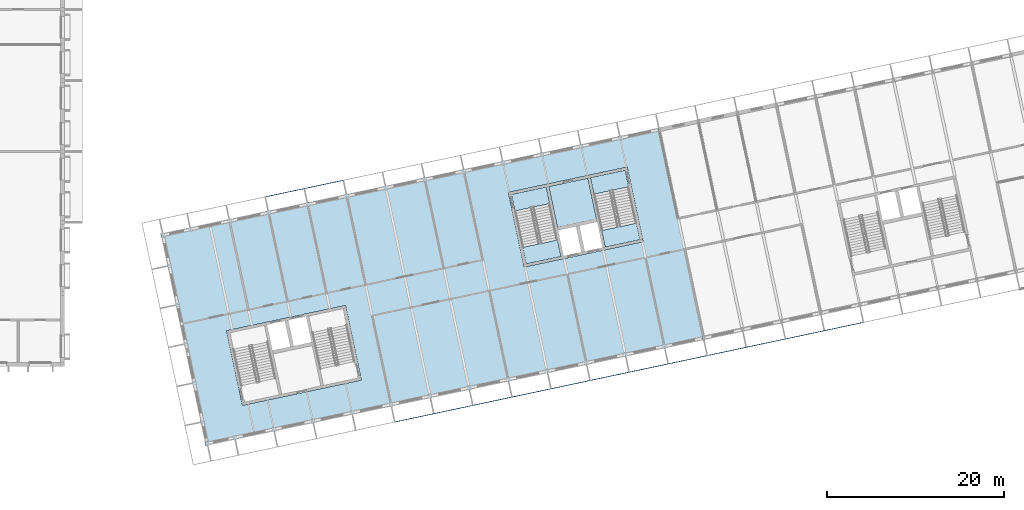
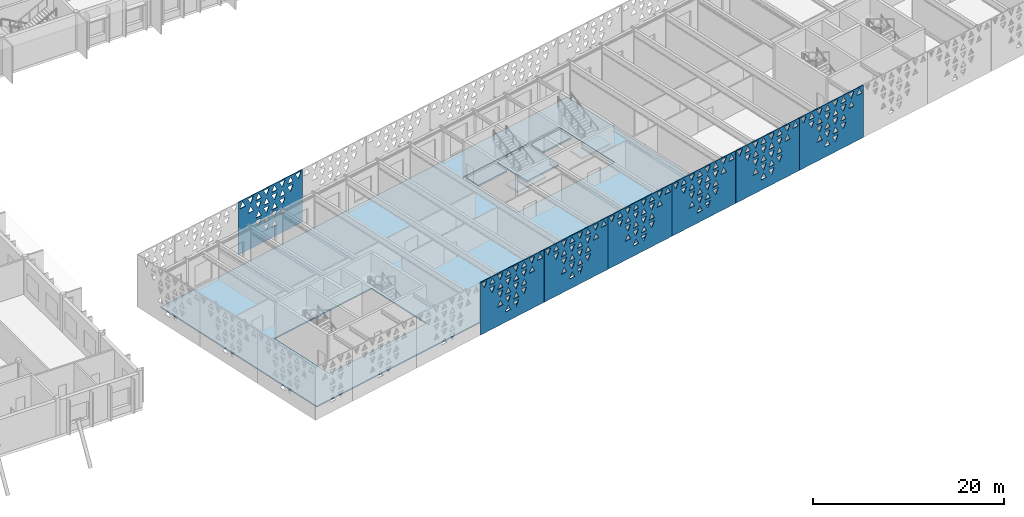
# One storey, part 97 of 182: 7 plates, 6 slabs, 2 elements without a shape of their own.
"""IFC4 building model written with IfcOpenShell, lengths in metres."""

from ifc_helpers import new_model, si_unit, direction, frame, origin, place, context, subcontext, project, spatial, polyline, outline, extrude, material, layer, layer_set, type_object, element, aggregate, save


model = new_model("IFC4")

# Units and contexts
model_context = context("Model", 3, precision=1e-05, world=origin(), true_north=direction((0.0, 1.0)))
body_context = subcontext(model_context, "Body", "Model", "MODEL_VIEW")
ifc_project = project(units=[si_unit("LENGTHUNIT", "METRE"), si_unit("AREAUNIT", "SQUARE_METRE"), si_unit("VOLUMEUNIT", "CUBIC_METRE"), si_unit("PLANEANGLEUNIT", "RADIAN"), si_unit("MASSUNIT", "GRAM", prefix="KILO")], contexts=[model_context])

# Site, building, storey
site_placement = place(None, origin())
site = spatial("IfcSite", under=ifc_project, at=site_placement, CompositionType="ELEMENT")
building_placement = place(site_placement, origin())
building = spatial("IfcBuilding", under=site, at=building_placement, Name="Okhra Congress Centre", CompositionType="ELEMENT")
storey_placement = place(building_placement, frame((0.0, 0.0, 7.199951171875)))
storey = spatial("IfcBuildingStorey", under=building, at=storey_placement, Name="L01", CompositionType="ELEMENT", Elevation=7.199951171875)

# Slabs
ifc_material_1 = material(Name="Concrete C30/37 on profiled steel deck", Category="concrete")
ifc_layer_1 = layer(ifc_material_1, 0.14990234375)
ifc_layer_set_1 = layer_set([ifc_layer_1], Name="Composite floor deck 150 REI 120 C30/37")
slab_type_1 = type_object("IfcSlabType", Name="Composite floor deck 150 REI 120 C30/37", PredefinedType="FLOOR", material=ifc_layer_set_1)
slab_1_placement = place(storey_placement, frame((0.0, 0.0, -0.14990234375)))
element("IfcSlab", 1, at=slab_1_placement, inside=storey, type_object=slab_type_1, Name="Floor slab L01 bay 1", PredefinedType="FLOOR", context=body_context, shape_type="SweptSolid", body=[
    extrude(outline(polyline([(62.1337890625, 26.81787109375), (118.23046875, 38.74169921875), (113.14697265625, 62.6572265625), (57.05029296875, 50.733642578125), (62.1337890625, 26.81787109375)]), holes=[polyline([(64.488037109375, 39.790771484375), (66.27587890625, 31.378662109375), (79.676513671875, 34.22705078125), (77.888671875, 42.63916015625), (64.488037109375, 39.790771484375)]), polyline([(109.640625, 58.2314453125), (96.239990234375, 55.383056640625), (98.028076171875, 46.97119140625), (111.4287109375, 49.819580078125), (109.640625, 58.2314453125)])]), origin(), (0.0, 0.0, 1.0), 0.14990234375),
])
ifc_material_2 = material(Name="Concrete C30/37", Category="concrete")
ifc_layer_2 = layer(ifc_material_2, 0.199951171875)
ifc_layer_set_2 = layer_set([ifc_layer_2], Name="RC floor slab 200 REI 120 C30/37")
slab_type_2 = type_object("IfcSlabType", Name="RC floor slab 200 REI 120 C30/37", PredefinedType="FLOOR", material=ifc_layer_set_2)
slab_2_placement = place(storey_placement, frame((0.0, 0.0, -0.199951171875)))
element("IfcSlab", 2, at=slab_2_placement, inside=storey, type_object=slab_type_2, Name="Stair floor landing 2A L01", PredefinedType="FLOOR", context=body_context, shape_type="SweptSolid", body=[
    extrude(outline(polyline([(96.58984375, 55.156005859375), (100.51220703125, 55.98974609375), (100.909423828125, 54.121337890625), (96.987060546875, 53.28759765625), (96.58984375, 55.156005859375)])), origin(), (0.0, 0.0, 1.0), 0.199951171875),
])
slab_3_placement = place(storey_placement, frame((0.0, 0.0, -0.199951171875)))
element("IfcSlab", 3, at=slab_3_placement, inside=storey, type_object=slab_type_2, Name="Stair floor landing 2B L01", PredefinedType="FLOOR", context=body_context, shape_type="SweptSolid", body=[
    extrude(outline(polyline([(105.490966796875, 57.0478515625), (109.413330078125, 57.881591796875), (109.810546875, 56.013427734375), (105.88818359375, 55.1796875), (105.490966796875, 57.0478515625)])), origin(), (0.0, 0.0, 1.0), 0.199951171875),
])
slab_4_placement = place(storey_placement, frame((0.0, 0.0, -0.199951171875)))
element("IfcSlab", 4, at=slab_4_placement, inside=storey, type_object=slab_type_2, Name="Riser room floor 2 L01", PredefinedType="FLOOR", context=body_context, shape_type="SweptSolid", body=[
    extrude(outline(polyline([(101.779052734375, 51.44873046875), (106.1806640625, 52.384521484375), (105.20361328125, 56.981689453125), (100.8017578125, 56.046142578125), (101.779052734375, 51.44873046875)])), origin(), (0.0, 0.0, 1.0), 0.199951171875),
])

# Stair, slab
stair_type = type_object("IfcStairType", Name="Escape stair 1900 wide, 30 risers of 160.0", PredefinedType="HALF_TURN_STAIR", material=ifc_material_2)
stair_1_placement = place(storey_placement, origin())
stair_1 = element("IfcStair", 5, at=stair_1_placement, inside=storey, type_object=stair_type, Name="L01 Escape stair 2A", PredefinedType="HALF_TURN_STAIR")
ifc_layer_3 = layer(ifc_material_2, 0.199951171875)
ifc_layer_set_3 = layer_set([ifc_layer_3], Name="RC stair landing 200 C30/37")
slab_type_3 = type_object("IfcSlabType", Name="RC stair landing 200 C30/37", PredefinedType="LANDING", material=ifc_layer_set_3)
slab_5_placement = place(storey_placement, frame((0.0, 0.0, 2.199951171875)))
slab_5 = element("IfcSlab", 6, at=slab_5_placement, type_object=slab_type_3, Name="BS2A landing 1", PredefinedType="LANDING", context=body_context, shape_type="SweptSolid", body=[
    extrude(outline(polyline([(97.858154296875, 49.189208984375), (101.780517578125, 50.02294921875), (102.177490234375, 48.15478515625), (98.255126953125, 47.321044921875), (97.858154296875, 49.189208984375)])), origin(), (0.0, 0.0, 1.0), 0.2001953125),
])
aggregate(stair_1, [slab_5])

stair_2_placement = place(storey_placement, origin())
stair_2 = element("IfcStair", 7, at=stair_2_placement, inside=storey, type_object=stair_type, Name="L01 Escape stair 2B", PredefinedType="HALF_TURN_STAIR")
slab_6_placement = place(storey_placement, frame((0.0, 0.0, 2.199951171875)))
slab_6 = element("IfcSlab", 8, at=slab_6_placement, type_object=slab_type_3, Name="BS2B landing 1", PredefinedType="LANDING", context=body_context, shape_type="SweptSolid", body=[
    extrude(outline(polyline([(106.75927734375, 51.081298828125), (110.681640625, 51.9150390625), (111.078857421875, 50.046630859375), (107.156494140625, 49.212890625), (106.75927734375, 51.081298828125)])), origin(), (0.0, 0.0, 1.0), 0.2001953125),
])
aggregate(stair_2, [slab_6])

# Plates
ifc_material_3 = material(Name="Fired clay terracotta rainscreen panel, deep oxide-red glaze, non-combustible", Category="masonry")
ifc_layer_4 = layer(ifc_material_3, 0.080078125)
ifc_layer_set_4 = layer_set([ifc_layer_4], Name="Terracotta screen panel 8980x6720")
plate_type = type_object("IfcPlateType", Name="Terracotta screen panel 8980x6720", PredefinedType="SHEET", material=ifc_layer_set_4)
plate_1_placement = place(storey_placement, frame((83.4501953125, 29.508544921875, 0.010009765625), z_axis=(0.0, 0.0, 1.0), x_axis=(0.978144061878, 0.207928339131, 0.0)))
element("IfcPlate", 9, at=plate_1_placement, inside=storey, type_object=plate_type, Name="Screen panel S4 Tier 1", PredefinedType="SHEET", context=body_context, shape_type="SweptSolid", body=[
    extrude(outline(polyline([(0.0, 0.0), (8.97998046875, 0.0), (8.97998046875, 6.719970703125), (0.0, 6.719970703125), (0.0, 0.0)]), holes=[polyline([(3.536376953125, 1.303955078125), (4.3037109375, 1.303955078125), (3.919921875, 2.05615234375), (3.536376953125, 1.303955078125)]), polyline([(4.656494140625, 2.05615234375), (5.0400390625, 1.303955078125), (5.423583984375, 2.05615234375), (4.656494140625, 2.05615234375)]), polyline([(2.41650390625, 2.423828125), (3.18359375, 2.423828125), (2.800048828125, 3.176025390625), (2.41650390625, 2.423828125)]), polyline([(3.536376953125, 3.176025390625), (3.919921875, 2.423828125), (4.3037109375, 3.176025390625), (3.536376953125, 3.176025390625)]), polyline([(4.656494140625, 2.423828125), (5.423583984375, 2.423828125), (5.0400390625, 3.176025390625), (4.656494140625, 2.423828125)]), polyline([(5.7763671875, 3.176025390625), (6.159912109375, 2.423828125), (6.543701171875, 3.176025390625), (5.7763671875, 3.176025390625)]), polyline([(2.41650390625, 4.296142578125), (2.800048828125, 3.5439453125), (3.18359375, 4.296142578125), (2.41650390625, 4.296142578125)]), polyline([(3.536376953125, 3.5439453125), (4.3037109375, 3.5439453125), (3.919921875, 4.296142578125), (3.536376953125, 3.5439453125)]), polyline([(4.656494140625, 4.296142578125), (5.0400390625, 3.5439453125), (5.423583984375, 4.296142578125), (4.656494140625, 4.296142578125)]), polyline([(5.7763671875, 3.5439453125), (6.543701171875, 3.5439453125), (6.159912109375, 4.296142578125), (5.7763671875, 3.5439453125)]), polyline([(1.29638671875, 5.416015625), (1.679931640625, 4.663818359375), (2.0634765625, 5.416015625), (1.29638671875, 5.416015625)]), polyline([(2.41650390625, 4.663818359375), (3.18359375, 4.663818359375), (2.800048828125, 5.416015625), (2.41650390625, 4.663818359375)]), polyline([(3.536376953125, 5.416015625), (3.919921875, 4.663818359375), (4.3037109375, 5.416015625), (3.536376953125, 5.416015625)]), polyline([(4.656494140625, 4.663818359375), (5.423583984375, 4.663818359375), (5.0400390625, 5.416015625), (4.656494140625, 4.663818359375)]), polyline([(5.7763671875, 5.416015625), (6.159912109375, 4.663818359375), (6.543701171875, 5.416015625), (5.7763671875, 5.416015625)]), polyline([(6.896484375, 4.663818359375), (7.66357421875, 4.663818359375), (7.280029296875, 5.416015625), (6.896484375, 4.663818359375)]), polyline([(0.176513671875, 6.5361328125), (0.56005859375, 5.783935546875), (0.943603515625, 6.5361328125), (0.176513671875, 6.5361328125)]), polyline([(1.29638671875, 5.783935546875), (2.0634765625, 5.783935546875), (1.679931640625, 6.5361328125), (1.29638671875, 5.783935546875)]), polyline([(2.41650390625, 6.5361328125), (2.800048828125, 5.783935546875), (3.18359375, 6.5361328125), (2.41650390625, 6.5361328125)]), polyline([(3.536376953125, 5.783935546875), (4.3037109375, 5.783935546875), (3.919921875, 6.5361328125), (3.536376953125, 5.783935546875)]), polyline([(4.656494140625, 6.5361328125), (5.0400390625, 5.783935546875), (5.423583984375, 6.5361328125), (4.656494140625, 6.5361328125)]), polyline([(5.7763671875, 5.783935546875), (6.543701171875, 5.783935546875), (6.159912109375, 6.5361328125), (5.7763671875, 5.783935546875)]), polyline([(6.896484375, 6.5361328125), (7.280029296875, 5.783935546875), (7.66357421875, 6.5361328125), (6.896484375, 6.5361328125)]), polyline([(8.016357421875, 5.783935546875), (8.78369140625, 5.783935546875), (8.39990234375, 6.5361328125), (8.016357421875, 5.783935546875)])]), frame((0.0, 0.0400390625, 0.0), z_axis=(0.0, -1.0, 0.0), x_axis=(1.0, 0.0, 0.0)), (0.0, 0.0, 1.0), 0.080078125),
])
plate_2_placement = place(storey_placement, frame((92.25341796875, 31.3798828125, 0.010009765625), z_axis=(0.0, 0.0, 1.0), x_axis=(0.978149591018, 0.207902327047, 0.0)))
element("IfcPlate", 10, at=plate_2_placement, inside=storey, type_object=plate_type, Name="Screen panel S5 Tier 1", PredefinedType="SHEET", context=body_context, shape_type="SweptSolid", body=[
    extrude(outline(polyline([(0.0, 0.0), (8.97998046875, 0.0), (8.97998046875, 6.719970703125), (0.0, 6.719970703125), (0.0, 0.0)]), holes=[polyline([(3.536376953125, 1.303955078125), (4.3037109375, 1.303955078125), (3.919921875, 2.05615234375), (3.536376953125, 1.303955078125)]), polyline([(4.656494140625, 2.05615234375), (5.0400390625, 1.303955078125), (5.423583984375, 2.05615234375), (4.656494140625, 2.05615234375)]), polyline([(2.41650390625, 2.423828125), (3.18359375, 2.423828125), (2.800048828125, 3.176025390625), (2.41650390625, 2.423828125)]), polyline([(3.536376953125, 3.176025390625), (3.919921875, 2.423828125), (4.3037109375, 3.176025390625), (3.536376953125, 3.176025390625)]), polyline([(4.656494140625, 2.423828125), (5.423583984375, 2.423828125), (5.0400390625, 3.176025390625), (4.656494140625, 2.423828125)]), polyline([(5.7763671875, 3.176025390625), (6.159912109375, 2.423828125), (6.543701171875, 3.176025390625), (5.7763671875, 3.176025390625)]), polyline([(2.41650390625, 4.296142578125), (2.800048828125, 3.5439453125), (3.18359375, 4.296142578125), (2.41650390625, 4.296142578125)]), polyline([(3.536376953125, 3.5439453125), (4.3037109375, 3.5439453125), (3.919921875, 4.296142578125), (3.536376953125, 3.5439453125)]), polyline([(4.656494140625, 4.296142578125), (5.0400390625, 3.5439453125), (5.423583984375, 4.296142578125), (4.656494140625, 4.296142578125)]), polyline([(5.7763671875, 3.5439453125), (6.543701171875, 3.5439453125), (6.159912109375, 4.296142578125), (5.7763671875, 3.5439453125)]), polyline([(1.29638671875, 5.416015625), (1.679931640625, 4.663818359375), (2.0634765625, 5.416015625), (1.29638671875, 5.416015625)]), polyline([(2.41650390625, 4.663818359375), (3.18359375, 4.663818359375), (2.800048828125, 5.416015625), (2.41650390625, 4.663818359375)]), polyline([(3.536376953125, 5.416015625), (3.919921875, 4.663818359375), (4.3037109375, 5.416015625), (3.536376953125, 5.416015625)]), polyline([(4.656494140625, 4.663818359375), (5.423583984375, 4.663818359375), (5.0400390625, 5.416015625), (4.656494140625, 4.663818359375)]), polyline([(5.7763671875, 5.416015625), (6.159912109375, 4.663818359375), (6.543701171875, 5.416015625), (5.7763671875, 5.416015625)]), polyline([(6.896484375, 4.663818359375), (7.66357421875, 4.663818359375), (7.280029296875, 5.416015625), (6.896484375, 4.663818359375)]), polyline([(0.176513671875, 6.5361328125), (0.56005859375, 5.783935546875), (0.943603515625, 6.5361328125), (0.176513671875, 6.5361328125)]), polyline([(1.29638671875, 5.783935546875), (2.0634765625, 5.783935546875), (1.679931640625, 6.5361328125), (1.29638671875, 5.783935546875)]), polyline([(2.41650390625, 6.5361328125), (2.800048828125, 5.783935546875), (3.18359375, 6.5361328125), (2.41650390625, 6.5361328125)]), polyline([(3.536376953125, 5.783935546875), (4.3037109375, 5.783935546875), (3.919921875, 6.5361328125), (3.536376953125, 5.783935546875)]), polyline([(4.656494140625, 6.5361328125), (5.0400390625, 5.783935546875), (5.423583984375, 6.5361328125), (4.656494140625, 6.5361328125)]), polyline([(5.7763671875, 5.783935546875), (6.543701171875, 5.783935546875), (6.159912109375, 6.5361328125), (5.7763671875, 5.783935546875)]), polyline([(6.896484375, 6.5361328125), (7.280029296875, 5.783935546875), (7.66357421875, 6.5361328125), (6.896484375, 6.5361328125)]), polyline([(8.016357421875, 5.783935546875), (8.78369140625, 5.783935546875), (8.39990234375, 6.5361328125), (8.016357421875, 5.783935546875)])]), frame((0.0, 0.0400390625, 0.0), z_axis=(0.0, -1.0, 0.0), x_axis=(1.0, 0.0, 0.0)), (0.0, 0.0, 1.0), 0.080078125),
])
plate_3_placement = place(storey_placement, frame((101.056884765625, 33.2509765625, 0.010009765625), z_axis=(0.0, 0.0, 1.0), x_axis=(0.978149591018, 0.207902327047, 0.0)))
element("IfcPlate", 11, at=plate_3_placement, inside=storey, type_object=plate_type, Name="Screen panel S6 Tier 1", PredefinedType="SHEET", context=body_context, shape_type="SweptSolid", body=[
    extrude(outline(polyline([(0.0, 0.0), (8.97998046875, 0.0), (8.97998046875, 6.719970703125), (0.0, 6.719970703125), (0.0, 0.0)]), holes=[polyline([(3.536376953125, 1.303955078125), (4.3037109375, 1.303955078125), (3.919921875, 2.05615234375), (3.536376953125, 1.303955078125)]), polyline([(4.656494140625, 2.05615234375), (5.0400390625, 1.303955078125), (5.423583984375, 2.05615234375), (4.656494140625, 2.05615234375)]), polyline([(2.41650390625, 2.423828125), (3.18359375, 2.423828125), (2.800048828125, 3.176025390625), (2.41650390625, 2.423828125)]), polyline([(3.536376953125, 3.176025390625), (3.919921875, 2.423828125), (4.3037109375, 3.176025390625), (3.536376953125, 3.176025390625)]), polyline([(4.656494140625, 2.423828125), (5.423583984375, 2.423828125), (5.0400390625, 3.176025390625), (4.656494140625, 2.423828125)]), polyline([(5.7763671875, 3.176025390625), (6.159912109375, 2.423828125), (6.543701171875, 3.176025390625), (5.7763671875, 3.176025390625)]), polyline([(2.41650390625, 4.296142578125), (2.800048828125, 3.5439453125), (3.18359375, 4.296142578125), (2.41650390625, 4.296142578125)]), polyline([(3.536376953125, 3.5439453125), (4.3037109375, 3.5439453125), (3.919921875, 4.296142578125), (3.536376953125, 3.5439453125)]), polyline([(4.656494140625, 4.296142578125), (5.0400390625, 3.5439453125), (5.423583984375, 4.296142578125), (4.656494140625, 4.296142578125)]), polyline([(5.7763671875, 3.5439453125), (6.543701171875, 3.5439453125), (6.159912109375, 4.296142578125), (5.7763671875, 3.5439453125)]), polyline([(1.29638671875, 5.416015625), (1.679931640625, 4.663818359375), (2.0634765625, 5.416015625), (1.29638671875, 5.416015625)]), polyline([(2.41650390625, 4.663818359375), (3.18359375, 4.663818359375), (2.800048828125, 5.416015625), (2.41650390625, 4.663818359375)]), polyline([(3.536376953125, 5.416015625), (3.919921875, 4.663818359375), (4.3037109375, 5.416015625), (3.536376953125, 5.416015625)]), polyline([(4.656494140625, 4.663818359375), (5.423583984375, 4.663818359375), (5.0400390625, 5.416015625), (4.656494140625, 4.663818359375)]), polyline([(5.7763671875, 5.416015625), (6.159912109375, 4.663818359375), (6.543701171875, 5.416015625), (5.7763671875, 5.416015625)]), polyline([(6.896484375, 4.663818359375), (7.66357421875, 4.663818359375), (7.280029296875, 5.416015625), (6.896484375, 4.663818359375)]), polyline([(0.176513671875, 6.5361328125), (0.56005859375, 5.783935546875), (0.943603515625, 6.5361328125), (0.176513671875, 6.5361328125)]), polyline([(1.29638671875, 5.783935546875), (2.0634765625, 5.783935546875), (1.679931640625, 6.5361328125), (1.29638671875, 5.783935546875)]), polyline([(2.41650390625, 6.5361328125), (2.800048828125, 5.783935546875), (3.18359375, 6.5361328125), (2.41650390625, 6.5361328125)]), polyline([(3.536376953125, 5.783935546875), (4.3037109375, 5.783935546875), (3.919921875, 6.5361328125), (3.536376953125, 5.783935546875)]), polyline([(4.656494140625, 6.5361328125), (5.0400390625, 5.783935546875), (5.423583984375, 6.5361328125), (4.656494140625, 6.5361328125)]), polyline([(5.7763671875, 5.783935546875), (6.543701171875, 5.783935546875), (6.159912109375, 6.5361328125), (5.7763671875, 5.783935546875)]), polyline([(6.896484375, 6.5361328125), (7.280029296875, 5.783935546875), (7.66357421875, 6.5361328125), (6.896484375, 6.5361328125)]), polyline([(8.016357421875, 5.783935546875), (8.78369140625, 5.783935546875), (8.39990234375, 6.5361328125), (8.016357421875, 5.783935546875)])]), frame((0.0, 0.0400390625, 0.0), z_axis=(0.0, -1.0, 0.0), x_axis=(1.0, 0.0, 0.0)), (0.0, 0.0, 1.0), 0.080078125),
])
plate_4_placement = place(storey_placement, frame((109.860107421875, 35.122314453125, 0.010009765625), z_axis=(0.0, 0.0, 1.0), x_axis=(0.978149591018, 0.207902327047, 0.0)))
element("IfcPlate", 12, at=plate_4_placement, inside=storey, type_object=plate_type, Name="Screen panel S7 Tier 1", PredefinedType="SHEET", context=body_context, shape_type="SweptSolid", body=[
    extrude(outline(polyline([(0.0, 0.0), (8.97998046875, 0.0), (8.97998046875, 6.719970703125), (0.0, 6.719970703125), (0.0, 0.0)]), holes=[polyline([(3.536376953125, 1.303955078125), (4.3037109375, 1.303955078125), (3.919921875, 2.05615234375), (3.536376953125, 1.303955078125)]), polyline([(4.656494140625, 2.05615234375), (5.0400390625, 1.303955078125), (5.423583984375, 2.05615234375), (4.656494140625, 2.05615234375)]), polyline([(2.41650390625, 2.423828125), (3.18359375, 2.423828125), (2.800048828125, 3.176025390625), (2.41650390625, 2.423828125)]), polyline([(3.536376953125, 3.176025390625), (3.919921875, 2.423828125), (4.3037109375, 3.176025390625), (3.536376953125, 3.176025390625)]), polyline([(4.656494140625, 2.423828125), (5.423583984375, 2.423828125), (5.0400390625, 3.176025390625), (4.656494140625, 2.423828125)]), polyline([(5.7763671875, 3.176025390625), (6.159912109375, 2.423828125), (6.543701171875, 3.176025390625), (5.7763671875, 3.176025390625)]), polyline([(2.41650390625, 4.296142578125), (2.800048828125, 3.5439453125), (3.18359375, 4.296142578125), (2.41650390625, 4.296142578125)]), polyline([(3.536376953125, 3.5439453125), (4.3037109375, 3.5439453125), (3.919921875, 4.296142578125), (3.536376953125, 3.5439453125)]), polyline([(4.656494140625, 4.296142578125), (5.0400390625, 3.5439453125), (5.423583984375, 4.296142578125), (4.656494140625, 4.296142578125)]), polyline([(5.7763671875, 3.5439453125), (6.543701171875, 3.5439453125), (6.159912109375, 4.296142578125), (5.7763671875, 3.5439453125)]), polyline([(1.29638671875, 5.416015625), (1.679931640625, 4.663818359375), (2.0634765625, 5.416015625), (1.29638671875, 5.416015625)]), polyline([(2.41650390625, 4.663818359375), (3.18359375, 4.663818359375), (2.800048828125, 5.416015625), (2.41650390625, 4.663818359375)]), polyline([(3.536376953125, 5.416015625), (3.919921875, 4.663818359375), (4.3037109375, 5.416015625), (3.536376953125, 5.416015625)]), polyline([(4.656494140625, 4.663818359375), (5.423583984375, 4.663818359375), (5.0400390625, 5.416015625), (4.656494140625, 4.663818359375)]), polyline([(5.7763671875, 5.416015625), (6.159912109375, 4.663818359375), (6.543701171875, 5.416015625), (5.7763671875, 5.416015625)]), polyline([(6.896484375, 4.663818359375), (7.66357421875, 4.663818359375), (7.280029296875, 5.416015625), (6.896484375, 4.663818359375)]), polyline([(0.176513671875, 6.5361328125), (0.56005859375, 5.783935546875), (0.943603515625, 6.5361328125), (0.176513671875, 6.5361328125)]), polyline([(1.29638671875, 5.783935546875), (2.0634765625, 5.783935546875), (1.679931640625, 6.5361328125), (1.29638671875, 5.783935546875)]), polyline([(2.41650390625, 6.5361328125), (2.800048828125, 5.783935546875), (3.18359375, 6.5361328125), (2.41650390625, 6.5361328125)]), polyline([(3.536376953125, 5.783935546875), (4.3037109375, 5.783935546875), (3.919921875, 6.5361328125), (3.536376953125, 5.783935546875)]), polyline([(4.656494140625, 6.5361328125), (5.0400390625, 5.783935546875), (5.423583984375, 6.5361328125), (4.656494140625, 6.5361328125)]), polyline([(5.7763671875, 5.783935546875), (6.543701171875, 5.783935546875), (6.159912109375, 6.5361328125), (5.7763671875, 5.783935546875)]), polyline([(6.896484375, 6.5361328125), (7.280029296875, 5.783935546875), (7.66357421875, 6.5361328125), (6.896484375, 6.5361328125)]), polyline([(8.016357421875, 5.783935546875), (8.78369140625, 5.783935546875), (8.39990234375, 6.5361328125), (8.016357421875, 5.783935546875)])]), frame((0.0, 0.0400390625, 0.0), z_axis=(0.0, -1.0, 0.0), x_axis=(1.0, 0.0, 0.0)), (0.0, 0.0, 1.0), 0.080078125),
])
plate_5_placement = place(storey_placement, frame((118.663330078125, 36.993408203125, 0.010009765625), z_axis=(0.0, 0.0, 1.0), x_axis=(0.978150766104, 0.207896798366, 0.0)))
element("IfcPlate", 13, at=plate_5_placement, inside=storey, type_object=plate_type, Name="Screen panel S8 Tier 1", PredefinedType="SHEET", context=body_context, shape_type="SweptSolid", body=[
    extrude(outline(polyline([(0.0, 0.0), (8.980224609375, 0.0), (8.980224609375, 6.719970703125), (0.0, 6.719970703125), (0.0, 0.0)]), holes=[polyline([(3.536376953125, 1.303955078125), (4.3037109375, 1.303955078125), (3.919921875, 2.05615234375), (3.536376953125, 1.303955078125)]), polyline([(4.656494140625, 2.05615234375), (5.0400390625, 1.303955078125), (5.423583984375, 2.05615234375), (4.656494140625, 2.05615234375)]), polyline([(2.41650390625, 2.423828125), (3.18359375, 2.423828125), (2.800048828125, 3.176025390625), (2.41650390625, 2.423828125)]), polyline([(3.536376953125, 3.176025390625), (3.919921875, 2.423828125), (4.3037109375, 3.176025390625), (3.536376953125, 3.176025390625)]), polyline([(4.656494140625, 2.423828125), (5.423583984375, 2.423828125), (5.0400390625, 3.176025390625), (4.656494140625, 2.423828125)]), polyline([(5.7763671875, 3.176025390625), (6.159912109375, 2.423828125), (6.543701171875, 3.176025390625), (5.7763671875, 3.176025390625)]), polyline([(2.41650390625, 4.296142578125), (2.800048828125, 3.5439453125), (3.18359375, 4.296142578125), (2.41650390625, 4.296142578125)]), polyline([(3.536376953125, 3.5439453125), (4.3037109375, 3.5439453125), (3.919921875, 4.296142578125), (3.536376953125, 3.5439453125)]), polyline([(4.656494140625, 4.296142578125), (5.0400390625, 3.5439453125), (5.423583984375, 4.296142578125), (4.656494140625, 4.296142578125)]), polyline([(5.7763671875, 3.5439453125), (6.543701171875, 3.5439453125), (6.159912109375, 4.296142578125), (5.7763671875, 3.5439453125)]), polyline([(1.29638671875, 5.416015625), (1.679931640625, 4.663818359375), (2.0634765625, 5.416015625), (1.29638671875, 5.416015625)]), polyline([(2.41650390625, 4.663818359375), (3.18359375, 4.663818359375), (2.800048828125, 5.416015625), (2.41650390625, 4.663818359375)]), polyline([(3.536376953125, 5.416015625), (3.919921875, 4.663818359375), (4.3037109375, 5.416015625), (3.536376953125, 5.416015625)]), polyline([(4.656494140625, 4.663818359375), (5.423583984375, 4.663818359375), (5.0400390625, 5.416015625), (4.656494140625, 4.663818359375)]), polyline([(5.7763671875, 5.416015625), (6.159912109375, 4.663818359375), (6.543701171875, 5.416015625), (5.7763671875, 5.416015625)]), polyline([(6.896484375, 4.663818359375), (7.66357421875, 4.663818359375), (7.280029296875, 5.416015625), (6.896484375, 4.663818359375)]), polyline([(0.176513671875, 6.5361328125), (0.56005859375, 5.783935546875), (0.943603515625, 6.5361328125), (0.176513671875, 6.5361328125)]), polyline([(1.29638671875, 5.783935546875), (2.0634765625, 5.783935546875), (1.679931640625, 6.5361328125), (1.29638671875, 5.783935546875)]), polyline([(2.41650390625, 6.5361328125), (2.800048828125, 5.783935546875), (3.18359375, 6.5361328125), (2.41650390625, 6.5361328125)]), polyline([(3.536376953125, 5.783935546875), (4.3037109375, 5.783935546875), (3.919921875, 6.5361328125), (3.536376953125, 5.783935546875)]), polyline([(4.656494140625, 6.5361328125), (5.0400390625, 5.783935546875), (5.423583984375, 6.5361328125), (4.656494140625, 6.5361328125)]), polyline([(5.7763671875, 5.783935546875), (6.543701171875, 5.783935546875), (6.159912109375, 6.5361328125), (5.7763671875, 5.783935546875)]), polyline([(6.896484375, 6.5361328125), (7.280029296875, 5.783935546875), (7.66357421875, 6.5361328125), (6.896484375, 6.5361328125)]), polyline([(8.016357421875, 5.783935546875), (8.78369140625, 5.783935546875), (8.39990234375, 6.5361328125), (8.016357421875, 5.783935546875)])]), frame((0.0, 0.0400390625, 0.0), z_axis=(0.0, -1.0, 0.0), x_axis=(1.0, 0.0, 0.0)), (0.0, 0.0, 1.0), 0.080078125),
])
plate_6_placement = place(storey_placement, frame((127.466796875, 38.864501953125, 0.010009765625), z_axis=(0.0, 0.0, 1.0), x_axis=(0.978144061878, 0.207928339131, 0.0)))
element("IfcPlate", 14, at=plate_6_placement, inside=storey, type_object=plate_type, Name="Screen panel S9 Tier 1", PredefinedType="SHEET", context=body_context, shape_type="SweptSolid", body=[
    extrude(outline(polyline([(0.0, 0.0), (8.97998046875, 0.0), (8.97998046875, 6.719970703125), (0.0, 6.719970703125), (0.0, 0.0)]), holes=[polyline([(3.536376953125, 1.303955078125), (4.3037109375, 1.303955078125), (3.919921875, 2.05615234375), (3.536376953125, 1.303955078125)]), polyline([(4.656494140625, 2.05615234375), (5.0400390625, 1.303955078125), (5.423583984375, 2.05615234375), (4.656494140625, 2.05615234375)]), polyline([(2.41650390625, 2.423828125), (3.18359375, 2.423828125), (2.800048828125, 3.176025390625), (2.41650390625, 2.423828125)]), polyline([(3.536376953125, 3.176025390625), (3.919921875, 2.423828125), (4.3037109375, 3.176025390625), (3.536376953125, 3.176025390625)]), polyline([(4.656494140625, 2.423828125), (5.423583984375, 2.423828125), (5.0400390625, 3.176025390625), (4.656494140625, 2.423828125)]), polyline([(5.7763671875, 3.176025390625), (6.159912109375, 2.423828125), (6.543701171875, 3.176025390625), (5.7763671875, 3.176025390625)]), polyline([(2.41650390625, 4.296142578125), (2.800048828125, 3.5439453125), (3.18359375, 4.296142578125), (2.41650390625, 4.296142578125)]), polyline([(3.536376953125, 3.5439453125), (4.3037109375, 3.5439453125), (3.919921875, 4.296142578125), (3.536376953125, 3.5439453125)]), polyline([(4.656494140625, 4.296142578125), (5.0400390625, 3.5439453125), (5.423583984375, 4.296142578125), (4.656494140625, 4.296142578125)]), polyline([(5.7763671875, 3.5439453125), (6.543701171875, 3.5439453125), (6.159912109375, 4.296142578125), (5.7763671875, 3.5439453125)]), polyline([(1.29638671875, 5.416015625), (1.679931640625, 4.663818359375), (2.0634765625, 5.416015625), (1.29638671875, 5.416015625)]), polyline([(2.41650390625, 4.663818359375), (3.18359375, 4.663818359375), (2.800048828125, 5.416015625), (2.41650390625, 4.663818359375)]), polyline([(3.536376953125, 5.416015625), (3.919921875, 4.663818359375), (4.3037109375, 5.416015625), (3.536376953125, 5.416015625)]), polyline([(4.656494140625, 4.663818359375), (5.423583984375, 4.663818359375), (5.0400390625, 5.416015625), (4.656494140625, 4.663818359375)]), polyline([(5.7763671875, 5.416015625), (6.159912109375, 4.663818359375), (6.543701171875, 5.416015625), (5.7763671875, 5.416015625)]), polyline([(6.896484375, 4.663818359375), (7.66357421875, 4.663818359375), (7.280029296875, 5.416015625), (6.896484375, 4.663818359375)]), polyline([(0.176513671875, 6.5361328125), (0.56005859375, 5.783935546875), (0.943603515625, 6.5361328125), (0.176513671875, 6.5361328125)]), polyline([(1.29638671875, 5.783935546875), (2.0634765625, 5.783935546875), (1.679931640625, 6.5361328125), (1.29638671875, 5.783935546875)]), polyline([(2.41650390625, 6.5361328125), (2.800048828125, 5.783935546875), (3.18359375, 6.5361328125), (2.41650390625, 6.5361328125)]), polyline([(3.536376953125, 5.783935546875), (4.3037109375, 5.783935546875), (3.919921875, 6.5361328125), (3.536376953125, 5.783935546875)]), polyline([(4.656494140625, 6.5361328125), (5.0400390625, 5.783935546875), (5.423583984375, 6.5361328125), (4.656494140625, 6.5361328125)]), polyline([(5.7763671875, 5.783935546875), (6.543701171875, 5.783935546875), (6.159912109375, 6.5361328125), (5.7763671875, 5.783935546875)]), polyline([(6.896484375, 6.5361328125), (7.280029296875, 5.783935546875), (7.66357421875, 6.5361328125), (6.896484375, 6.5361328125)]), polyline([(8.016357421875, 5.783935546875), (8.78369140625, 5.783935546875), (8.39990234375, 6.5361328125), (8.016357421875, 5.783935546875)])]), frame((0.0, 0.0400390625, 0.0), z_axis=(0.0, -1.0, 0.0), x_axis=(1.0, 0.0, 0.0)), (0.0, 0.0, 1.0), 0.080078125),
])
plate_7_placement = place(storey_placement, frame((77.64013671875, 56.745849609375, 0.010009765625), z_axis=(0.0, 0.0, 1.0), x_axis=(-0.978149591018, -0.207902327047, 0.0)))
element("IfcPlate", 15, at=plate_7_placement, inside=storey, type_object=plate_type, Name="Screen panel N17 Tier 1", PredefinedType="SHEET", context=body_context, shape_type="SweptSolid", body=[
    extrude(outline(polyline([(0.0, 0.0), (8.97998046875, 0.0), (8.97998046875, 6.719970703125), (0.0, 6.719970703125), (0.0, 0.0)]), holes=[polyline([(3.536376953125, 1.303955078125), (4.3037109375, 1.303955078125), (3.919921875, 2.05615234375), (3.536376953125, 1.303955078125)]), polyline([(4.656494140625, 2.05615234375), (5.0400390625, 1.303955078125), (5.423583984375, 2.05615234375), (4.656494140625, 2.05615234375)]), polyline([(2.41650390625, 2.423828125), (3.18359375, 2.423828125), (2.800048828125, 3.176025390625), (2.41650390625, 2.423828125)]), polyline([(3.536376953125, 3.176025390625), (3.919921875, 2.423828125), (4.3037109375, 3.176025390625), (3.536376953125, 3.176025390625)]), polyline([(4.656494140625, 2.423828125), (5.423583984375, 2.423828125), (5.0400390625, 3.176025390625), (4.656494140625, 2.423828125)]), polyline([(5.7763671875, 3.176025390625), (6.159912109375, 2.423828125), (6.543701171875, 3.176025390625), (5.7763671875, 3.176025390625)]), polyline([(2.41650390625, 4.296142578125), (2.800048828125, 3.5439453125), (3.18359375, 4.296142578125), (2.41650390625, 4.296142578125)]), polyline([(3.536376953125, 3.5439453125), (4.3037109375, 3.5439453125), (3.919921875, 4.296142578125), (3.536376953125, 3.5439453125)]), polyline([(4.656494140625, 4.296142578125), (5.0400390625, 3.5439453125), (5.423583984375, 4.296142578125), (4.656494140625, 4.296142578125)]), polyline([(5.7763671875, 3.5439453125), (6.543701171875, 3.5439453125), (6.159912109375, 4.296142578125), (5.7763671875, 3.5439453125)]), polyline([(1.29638671875, 5.416015625), (1.679931640625, 4.663818359375), (2.0634765625, 5.416015625), (1.29638671875, 5.416015625)]), polyline([(2.41650390625, 4.663818359375), (3.18359375, 4.663818359375), (2.800048828125, 5.416015625), (2.41650390625, 4.663818359375)]), polyline([(3.536376953125, 5.416015625), (3.919921875, 4.663818359375), (4.3037109375, 5.416015625), (3.536376953125, 5.416015625)]), polyline([(4.656494140625, 4.663818359375), (5.423583984375, 4.663818359375), (5.0400390625, 5.416015625), (4.656494140625, 4.663818359375)]), polyline([(5.7763671875, 5.416015625), (6.159912109375, 4.663818359375), (6.543701171875, 5.416015625), (5.7763671875, 5.416015625)]), polyline([(6.896484375, 4.663818359375), (7.66357421875, 4.663818359375), (7.280029296875, 5.416015625), (6.896484375, 4.663818359375)]), polyline([(0.176513671875, 6.5361328125), (0.56005859375, 5.783935546875), (0.943603515625, 6.5361328125), (0.176513671875, 6.5361328125)]), polyline([(1.29638671875, 5.783935546875), (2.0634765625, 5.783935546875), (1.679931640625, 6.5361328125), (1.29638671875, 5.783935546875)]), polyline([(2.41650390625, 6.5361328125), (2.800048828125, 5.783935546875), (3.18359375, 6.5361328125), (2.41650390625, 6.5361328125)]), polyline([(3.536376953125, 5.783935546875), (4.3037109375, 5.783935546875), (3.919921875, 6.5361328125), (3.536376953125, 5.783935546875)]), polyline([(4.656494140625, 6.5361328125), (5.0400390625, 5.783935546875), (5.423583984375, 6.5361328125), (4.656494140625, 6.5361328125)]), polyline([(5.7763671875, 5.783935546875), (6.543701171875, 5.783935546875), (6.159912109375, 6.5361328125), (5.7763671875, 5.783935546875)]), polyline([(6.896484375, 6.5361328125), (7.280029296875, 5.783935546875), (7.66357421875, 6.5361328125), (6.896484375, 6.5361328125)]), polyline([(8.016357421875, 5.783935546875), (8.78369140625, 5.783935546875), (8.39990234375, 6.5361328125), (8.016357421875, 5.783935546875)])]), frame((0.0, 0.0400390625, 0.0), z_axis=(0.0, -1.0, 0.0), x_axis=(1.0, 0.0, 0.0)), (0.0, 0.0, 1.0), 0.080078125),
])

save(model, "model.ifc")
